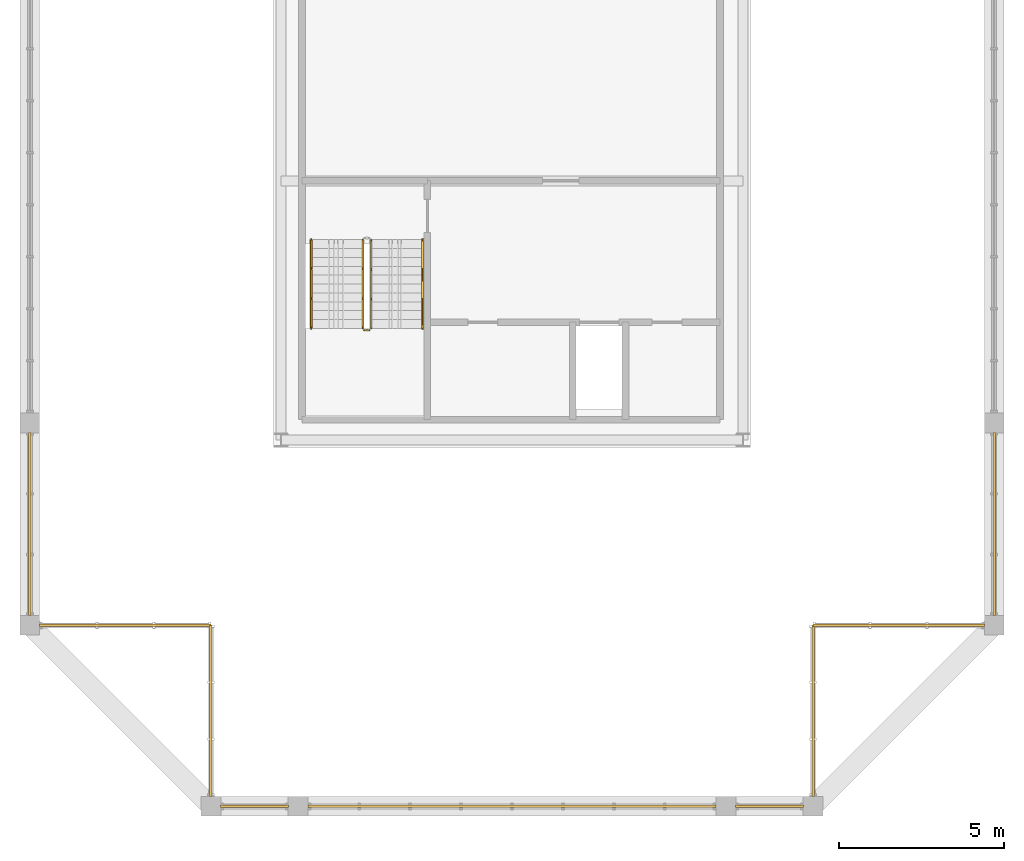
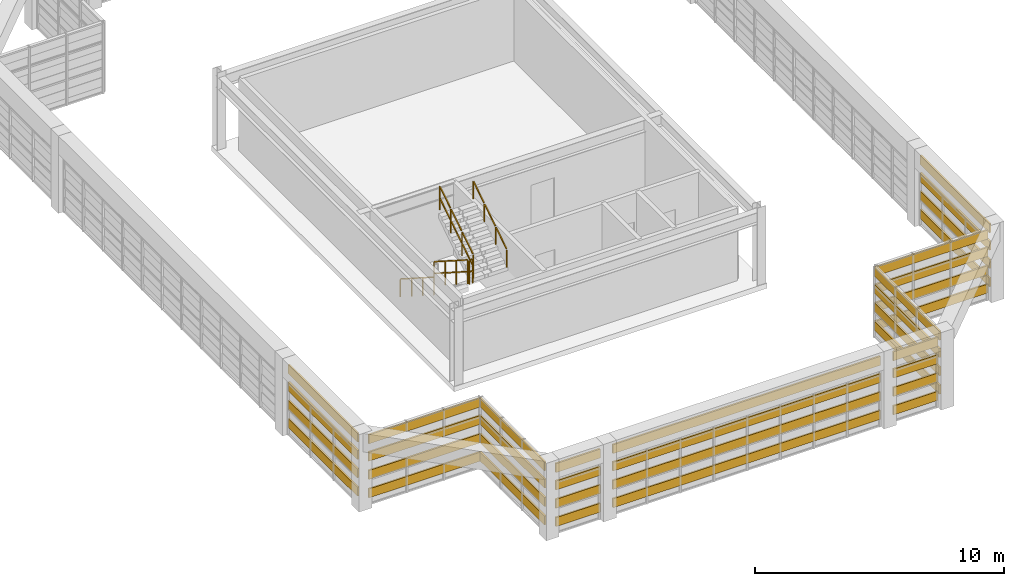
# One storey, part 25 of 27: 36 shading devices, 5 railings.
"""IFC4 building model written with IfcOpenShell, lengths in metres."""

from ifc_helpers import new_model, si_unit, direction, frame, origin, origin_2d, place, context, subcontext, project, spatial, rectangle, extrude, source, transform, mapped, material, material_profile, profile_set, type_object, element, save


model = new_model("IFC4")

# Units and contexts
model_context = context("Model", 3, precision=1e-05, world=origin(), true_north=direction((0.0, 1.0)))
body_context = subcontext(model_context, "Body", "Model", "MODEL_VIEW")
ifc_project = project(units=[si_unit("LENGTHUNIT", "METRE"), si_unit("AREAUNIT", "SQUARE_METRE"), si_unit("VOLUMEUNIT", "CUBIC_METRE"), si_unit("PLANEANGLEUNIT", "RADIAN"), si_unit("MASSUNIT", "GRAM", prefix="KILO")], contexts=[model_context])

# Site, building, storey
site_placement = place(None, origin())
site = spatial("IfcSite", under=ifc_project, at=site_placement, CompositionType="ELEMENT")
building_placement = place(site_placement, origin())
building = spatial("IfcBuilding", under=site, at=building_placement, Name="Saelheon Loggia Tower", CompositionType="ELEMENT")
storey_placement = place(building_placement, frame((0.0, 0.0, 256.0)))
storey = spatial("IfcBuildingStorey", under=building, at=storey_placement, Name="CR2", CompositionType="ELEMENT", Elevation=256.0)

# Railings
ifc_material_1 = material(Name="Galvanised Steel S275 Stairwell Guardrail", Category="steel")
railing_type_1 = type_object("IfcRailingType", Name="Guard_StairWell_RL_STG", PredefinedType="GUARDRAIL", material=ifc_material_1)
railing_1_placement = place(storey_placement, frame((33.4599609375, 23.570068359375, 0.172607421875)))
element("IfcRailing", 1, at=railing_1_placement, inside=storey, type_object=railing_type_1, Name="CR2 ST5 stair guard 1", PredefinedType="GUARDRAIL", context=body_context, shape_type="SweptSolid", body=[
    extrude(rectangle(XDim=0.048095703125, YDim=0.048095703125, at=origin_2d()), frame((0.0, -0.028076171875, 1.19384765625), z_axis=(0.0, -0.842366838036, 0.538904546443), x_axis=(1.0, 0.0, 0.0)), (0.0, 0.0, 1.0), 1.001953125),
    extrude(rectangle(XDim=0.048095703125, YDim=0.048095703125, at=origin_2d()), frame((0.0, -0.028076171875, 0.617919921875), z_axis=(0.0, -0.842366838036, 0.538904546443), x_axis=(1.0, 0.0, 0.0)), (0.0, 0.0, 1.0), 1.001953125),
    extrude(rectangle(XDim=0.048095703125, YDim=0.048095703125, at=origin_2d()), frame((0.0, -0.927978515625, 1.76953125), z_axis=(0.0, -0.842366838036, 0.538904546443), x_axis=(1.0, 0.0, 0.0)), (0.0, 0.0, 1.0), 1.001953125),
    extrude(rectangle(XDim=0.048095703125, YDim=0.048095703125, at=origin_2d()), frame((0.0, -0.927978515625, 1.193603515625), z_axis=(0.0, -0.842366838036, 0.538904546443), x_axis=(1.0, 0.0, 0.0)), (0.0, 0.0, 1.0), 1.001953125),
    extrude(rectangle(XDim=0.048095703125, YDim=0.048095703125, at=origin_2d()), frame((0.0, -1.827880859375, 2.345458984375), z_axis=(0.0, -0.842366838036, 0.538904546443), x_axis=(1.0, 0.0, 0.0)), (0.0, 0.0, 1.0), 1.001953125),
    extrude(rectangle(XDim=0.048095703125, YDim=0.048095703125, at=origin_2d()), frame((0.0, -1.827880859375, 1.76953125), z_axis=(0.0, -0.842366838036, 0.538904546443), x_axis=(1.0, 0.0, 0.0)), (0.0, 0.0, 1.0), 1.001953125),
    extrude(rectangle(XDim=0.0419921875, YDim=0.0419921875, at=origin_2d()), origin(), (0.0, 0.0, 1.0), 1.14794921875),
    extrude(rectangle(XDim=0.0419921875, YDim=0.0419921875, at=origin_2d()), frame((0.0, -0.89990234375, 0.57568359375)), (0.0, 0.0, 1.0), 1.14794921875),
    extrude(rectangle(XDim=0.0419921875, YDim=0.0419921875, at=origin_2d()), frame((0.0, -1.800048828125, 1.151611328125)), (0.0, 0.0, 1.0), 1.14794921875),
    extrude(rectangle(XDim=0.0419921875, YDim=0.0419921875, at=origin_2d()), frame((0.0, -2.699951171875, 1.727294921875)), (0.0, 0.0, 1.0), 1.14794921875),
])
railing_2_placement = place(storey_placement, frame((33.510009765625, 20.820068359375, 1.89990234375)))
element("IfcRailing", 2, at=railing_2_placement, inside=storey, type_object=railing_type_1, Name="CR2 ST5 stair guard 2", PredefinedType="GUARDRAIL", context=body_context, shape_type="SweptSolid", body=[
    extrude(rectangle(XDim=0.048095703125, YDim=0.048095703125, at=origin_2d()), frame((0.033203125, 0.0, 1.17578125), z_axis=(1.0, 0.0, 0.0), x_axis=(0.0, 1.0, 0.0)), (0.0, 0.0, 1.0), 0.093505859375),
    extrude(rectangle(XDim=0.048095703125, YDim=0.048095703125, at=origin_2d()), frame((0.033203125, 0.0, 0.60009765625), z_axis=(1.0, 0.0, 0.0), x_axis=(0.0, 1.0, 0.0)), (0.0, 0.0, 1.0), 0.093505859375),
    extrude(rectangle(XDim=0.0419921875, YDim=0.0419921875, at=origin_2d()), origin(), (0.0, 0.0, 1.0), 1.14794921875),
    extrude(rectangle(XDim=0.0419921875, YDim=0.0419921875, at=origin_2d()), frame((0.159912109375, 0.0, 0.0)), (0.0, 0.0, 1.0), 1.14794921875),
])
railing_3_placement = place(storey_placement, frame((33.719970703125, 20.8701171875, 2.07275390625)))
element("IfcRailing", 3, at=railing_3_placement, inside=storey, type_object=railing_type_1, Name="CR2 ST5 stair guard 3", PredefinedType="GUARDRAIL", context=body_context, shape_type="SweptSolid", body=[
    extrude(rectangle(XDim=0.048095703125, YDim=0.048095703125, at=origin_2d()), frame((0.0, 0.028076171875, 1.19384765625), z_axis=(0.0, 0.842366838036, 0.538904546443), x_axis=(-1.0, 0.0, 0.0)), (0.0, 0.0, 1.0), 1.001953125),
    extrude(rectangle(XDim=0.048095703125, YDim=0.048095703125, at=origin_2d()), frame((0.0, 0.028076171875, 0.617919921875), z_axis=(0.0, 0.842366838036, 0.538904546443), x_axis=(-1.0, 0.0, 0.0)), (0.0, 0.0, 1.0), 1.001953125),
    extrude(rectangle(XDim=0.048095703125, YDim=0.048095703125, at=origin_2d()), frame((0.0, 0.927978515625, 1.76953125), z_axis=(0.0, 0.842366838036, 0.538904546443), x_axis=(-1.0, 0.0, 0.0)), (0.0, 0.0, 1.0), 1.001953125),
    extrude(rectangle(XDim=0.048095703125, YDim=0.048095703125, at=origin_2d()), frame((0.0, 0.927978515625, 1.193603515625), z_axis=(0.0, 0.842366838036, 0.538904546443), x_axis=(-1.0, 0.0, 0.0)), (0.0, 0.0, 1.0), 1.001953125),
    extrude(rectangle(XDim=0.048095703125, YDim=0.048095703125, at=origin_2d()), frame((0.0, 1.827880859375, 2.345458984375), z_axis=(0.0, 0.842366838036, 0.538904546443), x_axis=(-1.0, 0.0, 0.0)), (0.0, 0.0, 1.0), 1.001953125),
    extrude(rectangle(XDim=0.048095703125, YDim=0.048095703125, at=origin_2d()), frame((0.0, 1.827880859375, 1.76953125), z_axis=(0.0, 0.842366838036, 0.538904546443), x_axis=(-1.0, 0.0, 0.0)), (0.0, 0.0, 1.0), 1.001953125),
    extrude(rectangle(XDim=0.0419921875, YDim=0.0419921875, at=origin_2d()), origin(), (0.0, 0.0, 1.0), 1.14794921875),
    extrude(rectangle(XDim=0.0419921875, YDim=0.0419921875, at=origin_2d()), frame((0.0, 0.89990234375, 0.57568359375)), (0.0, 0.0, 1.0), 1.14794921875),
    extrude(rectangle(XDim=0.0419921875, YDim=0.0419921875, at=origin_2d()), frame((0.0, 1.800048828125, 1.151611328125)), (0.0, 0.0, 1.0), 1.14794921875),
    extrude(rectangle(XDim=0.0419921875, YDim=0.0419921875, at=origin_2d()), frame((0.0, 2.699951171875, 1.727294921875)), (0.0, 0.0, 1.0), 1.14794921875),
])
ifc_material_2 = material(Name="Stainless Steel 304 Tubular Handrail", Category="steel")
railing_type_2 = type_object("IfcRailingType", Name="Handrail_Stair_RL_HR1", PredefinedType="HANDRAIL", material=ifc_material_2)
railing_4_placement = place(storey_placement, frame((31.89990234375, 23.570068359375, 0.172607421875)))
element("IfcRailing", 4, at=railing_4_placement, inside=storey, type_object=railing_type_2, Name="CR2 ST5 stair handrail 1", PredefinedType="HANDRAIL", context=body_context, shape_type="SweptSolid", body=[
    extrude(rectangle(XDim=0.048095703125, YDim=0.048095703125, at=origin_2d()), frame((0.0, -0.028076171875, 0.893798828125), z_axis=(0.0, -0.842366838036, 0.538904546443), x_axis=(1.0, 0.0, 0.0)), (0.0, 0.0, 1.0), 1.001953125),
    extrude(rectangle(XDim=0.048095703125, YDim=0.048095703125, at=origin_2d()), frame((0.0, -0.927978515625, 1.469482421875), z_axis=(0.0, -0.842366838036, 0.538904546443), x_axis=(1.0, 0.0, 0.0)), (0.0, 0.0, 1.0), 1.001953125),
    extrude(rectangle(XDim=0.048095703125, YDim=0.048095703125, at=origin_2d()), frame((0.0, -1.827880859375, 2.04541015625), z_axis=(0.0, -0.842366838036, 0.538904546443), x_axis=(1.0, 0.0, 0.0)), (0.0, 0.0, 1.0), 1.001953125),
    extrude(rectangle(XDim=0.0419921875, YDim=0.0419921875, at=origin_2d()), origin(), (0.0, 0.0, 1.0), 0.847900390625),
    extrude(rectangle(XDim=0.0419921875, YDim=0.0419921875, at=origin_2d()), frame((0.0, -0.89990234375, 0.57568359375)), (0.0, 0.0, 1.0), 0.847900390625),
    extrude(rectangle(XDim=0.0419921875, YDim=0.0419921875, at=origin_2d()), frame((0.0, -1.800048828125, 1.151611328125)), (0.0, 0.0, 1.0), 0.847900390625),
    extrude(rectangle(XDim=0.0419921875, YDim=0.0419921875, at=origin_2d()), frame((0.0, -2.699951171875, 1.727294921875)), (0.0, 0.0, 1.0), 0.847900390625),
])
railing_5_placement = place(storey_placement, frame((35.280029296875, 20.8701171875, 2.07275390625)))
element("IfcRailing", 5, at=railing_5_placement, inside=storey, type_object=railing_type_2, Name="CR2 ST5 stair handrail 2", PredefinedType="HANDRAIL", context=body_context, shape_type="SweptSolid", body=[
    extrude(rectangle(XDim=0.048095703125, YDim=0.048095703125, at=origin_2d()), frame((0.0, 0.028076171875, 0.893798828125), z_axis=(0.0, 0.842366838036, 0.538904546443), x_axis=(-1.0, 0.0, 0.0)), (0.0, 0.0, 1.0), 1.001953125),
    extrude(rectangle(XDim=0.048095703125, YDim=0.048095703125, at=origin_2d()), frame((0.0, 0.927978515625, 1.469482421875), z_axis=(0.0, 0.842366838036, 0.538904546443), x_axis=(-1.0, 0.0, 0.0)), (0.0, 0.0, 1.0), 1.001953125),
    extrude(rectangle(XDim=0.048095703125, YDim=0.048095703125, at=origin_2d()), frame((0.0, 1.827880859375, 2.04541015625), z_axis=(0.0, 0.842366838036, 0.538904546443), x_axis=(-1.0, 0.0, 0.0)), (0.0, 0.0, 1.0), 1.001953125),
    extrude(rectangle(XDim=0.0419921875, YDim=0.0419921875, at=origin_2d()), origin(), (0.0, 0.0, 1.0), 0.847900390625),
    extrude(rectangle(XDim=0.0419921875, YDim=0.0419921875, at=origin_2d()), frame((0.0, 0.89990234375, 0.57568359375)), (0.0, 0.0, 1.0), 0.847900390625),
    extrude(rectangle(XDim=0.0419921875, YDim=0.0419921875, at=origin_2d()), frame((0.0, 1.800048828125, 1.151611328125)), (0.0, 0.0, 1.0), 0.847900390625),
    extrude(rectangle(XDim=0.0419921875, YDim=0.0419921875, at=origin_2d()), frame((0.0, 2.699951171875, 1.727294921875)), (0.0, 0.0, 1.0), 0.847900390625),
])

# Shading devices
ifc_material_3 = material(Name="Bronze-Anodised Aluminium 6063-T6", Category="aluminium")
ifc_material_profile = material_profile(ifc_material_3, rectangle(XDim=0.080078125, YDim=0.43994140625, at=origin_2d()), Name="Louvre_CrownBlade_250")
ifc_profile_set = profile_set([ifc_material_profile], Name="Bronze-Anodised Aluminium 6063-T6")
shading_device_type = type_object("IfcShadingDeviceType", Name="Louvre_CrownBlade_250", PredefinedType="AWNING", material=ifc_profile_set)
shared_shape_1 = source(origin(), body_context, "Body", "SweptSolid", [
    extrude(rectangle(XDim=0.080078125, YDim=0.43994140625, at=origin_2d()), origin(), (0.0, 0.0, 1.0), 2.06005859375),
])
for number, where, z_axis, x_axis, name in (
    (6, (29.14501953125, 6.35009765625, 0.550048828125), (1.0, 0.0, 0.0), (0.0, 1.0, 0.0), "CR2 Crown Screen Horizontal Blade"),
    (7, (29.14501953125, 6.35009765625, 1.449951171875), (1.0, 0.0, 0.0), (0.0, 1.0, 0.0), "CR2 Crown Screen Horizontal Blade"),
    (8, (29.14501953125, 6.35009765625, 2.35009765625), (1.0, 0.0, 0.0), (0.0, 1.0, 0.0), "CR2 Crown Screen Horizontal Blade"),
    (9, (29.14501953125, 6.35009765625, 3.199951171875), (1.0, 0.0, 0.0), (0.0, 1.0, 0.0), "CR2 Crown Screen Horizontal Blade"),
    (10, (44.794921875, 6.35009765625, 0.550048828125), (1.0, 0.0, 0.0), (0.0, 1.0, 0.0), "CR2 Crown Screen Horizontal Blade"),
    (11, (44.794921875, 6.35009765625, 1.449951171875), (1.0, 0.0, 0.0), (0.0, 1.0, 0.0), "CR2 Crown Screen Horizontal Blade"),
    (12, (44.794921875, 6.35009765625, 2.35009765625), (1.0, 0.0, 0.0), (0.0, 1.0, 0.0), "CR2 Crown Screen Horizontal Blade"),
    (13, (44.794921875, 6.35009765625, 3.199951171875), (1.0, 0.0, 0.0), (0.0, 1.0, 0.0), "CR2 Crown Screen Horizontal Blade"),
):
    element("IfcShadingDevice", number, at=place(storey_placement, frame(where, z_axis=z_axis, x_axis=x_axis)), inside=storey, type_object=shading_device_type, Name=name, PredefinedType="AWNING", context=body_context, shape_type="MappedRepresentation", body=[
        mapped(shared_shape_1, transform((0.0, 0.0, 0.0), scale=1.0)),
    ])
shared_shape_2 = source(origin(), body_context, "Body", "SweptSolid", [
    extrude(rectangle(XDim=0.080078125, YDim=0.43994140625, at=origin_2d()), origin(), (0.0, 0.0, 1.0), 12.41015625),
])
for number, where, z_axis, x_axis, name in (
    (14, (31.794921875, 6.35009765625, 0.550048828125), (1.0, 0.0, 0.0), (0.0, 1.0, 0.0), "CR2 Crown Screen Horizontal Blade"),
    (15, (31.794921875, 6.35009765625, 1.449951171875), (1.0, 0.0, 0.0), (0.0, 1.0, 0.0), "CR2 Crown Screen Horizontal Blade"),
    (16, (31.794921875, 6.35009765625, 2.35009765625), (1.0, 0.0, 0.0), (0.0, 1.0, 0.0), "CR2 Crown Screen Horizontal Blade"),
    (17, (31.794921875, 6.35009765625, 3.199951171875), (1.0, 0.0, 0.0), (0.0, 1.0, 0.0), "CR2 Crown Screen Horizontal Blade"),
):
    element("IfcShadingDevice", number, at=place(storey_placement, frame(where, z_axis=z_axis, x_axis=x_axis)), inside=storey, type_object=shading_device_type, Name=name, PredefinedType="AWNING", context=body_context, shape_type="MappedRepresentation", body=[
        mapped(shared_shape_2, transform((0.0, 0.0, 0.0), scale=1.0)),
    ])
shared_shape_3 = source(origin(), body_context, "Body", "SweptSolid", [
    extrude(rectangle(XDim=0.080078125, YDim=0.43994140625, at=origin_2d()), origin(), (0.0, 0.0, 1.0), 5.205078125),
])
for number, where, z_axis, x_axis, name in (
    (18, (47.14990234375, 6.64501953125, 0.550048828125), (0.0, 1.0, 0.0), (-1.0, 0.0, 0.0), "CR2 Crown Screen Horizontal Blade"),
    (19, (47.14990234375, 6.64501953125, 1.449951171875), (0.0, 1.0, 0.0), (-1.0, 0.0, 0.0), "CR2 Crown Screen Horizontal Blade"),
    (20, (47.14990234375, 6.64501953125, 2.35009765625), (0.0, 1.0, 0.0), (-1.0, 0.0, 0.0), "CR2 Crown Screen Horizontal Blade"),
    (21, (47.14990234375, 6.64501953125, 3.199951171875), (0.0, 1.0, 0.0), (-1.0, 0.0, 0.0), "CR2 Crown Screen Horizontal Blade"),
    (22, (47.14990234375, 11.85009765625, 0.550048828125), (1.0, 0.0, 0.0), (0.0, 1.0, 0.0), "CR2 Crown Screen Horizontal Blade"),
    (23, (47.14990234375, 11.85009765625, 1.449951171875), (1.0, 0.0, 0.0), (0.0, 1.0, 0.0), "CR2 Crown Screen Horizontal Blade"),
    (24, (47.14990234375, 11.85009765625, 2.35009765625), (1.0, 0.0, 0.0), (0.0, 1.0, 0.0), "CR2 Crown Screen Horizontal Blade"),
    (25, (47.14990234375, 11.85009765625, 3.199951171875), (1.0, 0.0, 0.0), (0.0, 1.0, 0.0), "CR2 Crown Screen Horizontal Blade"),
    (26, (23.64501953125, 11.85009765625, 0.550048828125), (1.0, 0.0, 0.0), (0.0, 1.0, 0.0), "CR2 Crown Screen Horizontal Blade"),
    (27, (23.64501953125, 11.85009765625, 1.449951171875), (1.0, 0.0, 0.0), (0.0, 1.0, 0.0), "CR2 Crown Screen Horizontal Blade"),
    (28, (23.64501953125, 11.85009765625, 2.35009765625), (1.0, 0.0, 0.0), (0.0, 1.0, 0.0), "CR2 Crown Screen Horizontal Blade"),
    (29, (23.64501953125, 11.85009765625, 3.199951171875), (1.0, 0.0, 0.0), (0.0, 1.0, 0.0), "CR2 Crown Screen Horizontal Blade"),
    (30, (28.85009765625, 11.85009765625, 0.550048828125), (0.0, -1.0, 0.0), (1.0, 0.0, 0.0), "CR2 Crown Screen Horizontal Blade"),
    (31, (28.85009765625, 11.85009765625, 1.449951171875), (0.0, -1.0, 0.0), (1.0, 0.0, 0.0), "CR2 Crown Screen Horizontal Blade"),
    (32, (28.85009765625, 11.85009765625, 2.35009765625), (0.0, -1.0, 0.0), (1.0, 0.0, 0.0), "CR2 Crown Screen Horizontal Blade"),
    (33, (28.85009765625, 11.85009765625, 3.199951171875), (0.0, -1.0, 0.0), (1.0, 0.0, 0.0), "CR2 Crown Screen Horizontal Blade"),
):
    element("IfcShadingDevice", number, at=place(storey_placement, frame(where, z_axis=z_axis, x_axis=x_axis)), inside=storey, type_object=shading_device_type, Name=name, PredefinedType="AWNING", context=body_context, shape_type="MappedRepresentation", body=[
        mapped(shared_shape_3, transform((0.0, 0.0, 0.0), scale=1.0)),
    ])
shared_shape_4 = source(origin(), body_context, "Body", "SweptSolid", [
    extrude(rectangle(XDim=0.080078125, YDim=0.43994140625, at=origin_2d()), origin(), (0.0, 0.0, 1.0), 5.56005859375),
])
for number, where, z_axis, x_axis, name in (
    (34, (52.64990234375, 12.14501953125, 0.550048828125), (0.0, 1.0, 0.0), (-1.0, 0.0, 0.0), "CR2 Crown Screen Horizontal Blade"),
    (35, (52.64990234375, 12.14501953125, 1.449951171875), (0.0, 1.0, 0.0), (-1.0, 0.0, 0.0), "CR2 Crown Screen Horizontal Blade"),
    (36, (52.64990234375, 12.14501953125, 2.35009765625), (0.0, 1.0, 0.0), (-1.0, 0.0, 0.0), "CR2 Crown Screen Horizontal Blade"),
    (37, (52.64990234375, 12.14501953125, 3.199951171875), (0.0, 1.0, 0.0), (-1.0, 0.0, 0.0), "CR2 Crown Screen Horizontal Blade"),
    (38, (23.35009765625, 17.705078125, 0.550048828125), (0.0, -1.0, 0.0), (1.0, 0.0, 0.0), "CR2 Crown Screen Horizontal Blade"),
    (39, (23.35009765625, 17.705078125, 1.449951171875), (0.0, -1.0, 0.0), (1.0, 0.0, 0.0), "CR2 Crown Screen Horizontal Blade"),
    (40, (23.35009765625, 17.705078125, 2.35009765625), (0.0, -1.0, 0.0), (1.0, 0.0, 0.0), "CR2 Crown Screen Horizontal Blade"),
    (41, (23.35009765625, 17.705078125, 3.199951171875), (0.0, -1.0, 0.0), (1.0, 0.0, 0.0), "CR2 Crown Screen Horizontal Blade"),
):
    element("IfcShadingDevice", number, at=place(storey_placement, frame(where, z_axis=z_axis, x_axis=x_axis)), inside=storey, type_object=shading_device_type, Name=name, PredefinedType="AWNING", context=body_context, shape_type="MappedRepresentation", body=[
        mapped(shared_shape_4, transform((0.0, 0.0, 0.0), scale=1.0)),
    ])

save(model, "model.ifc")
